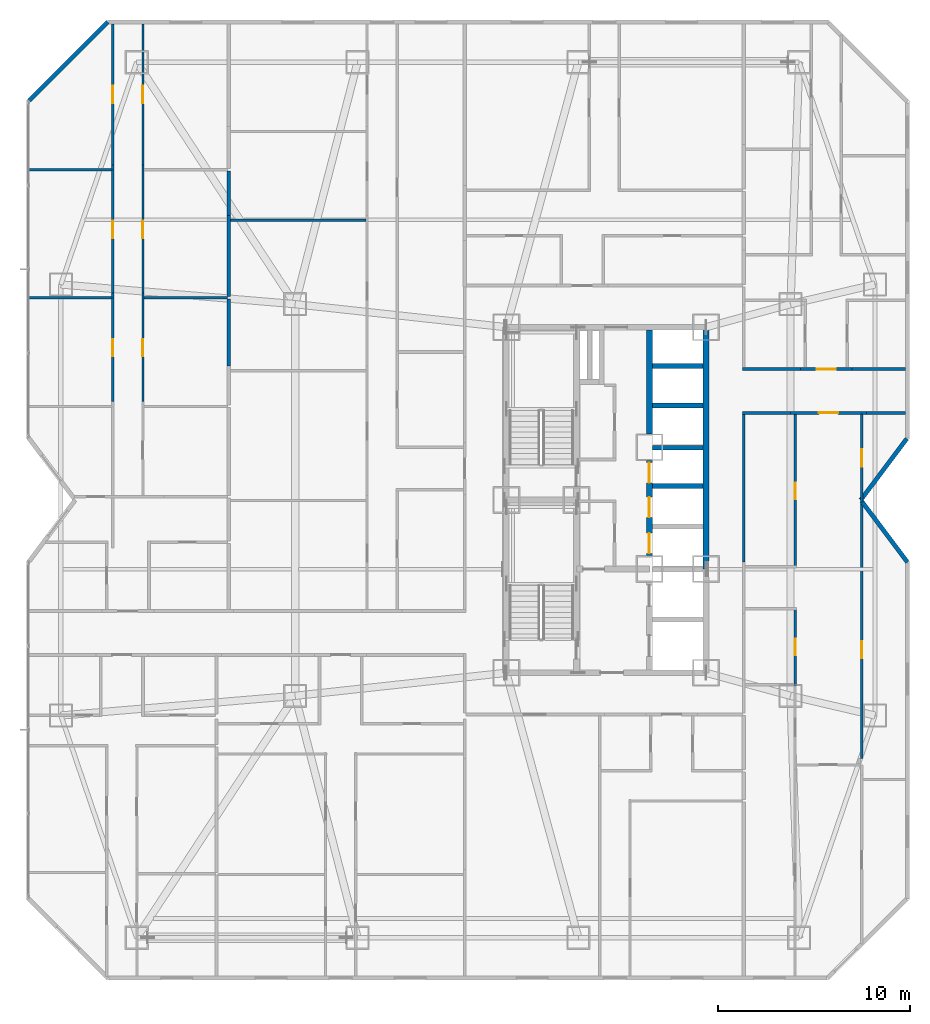
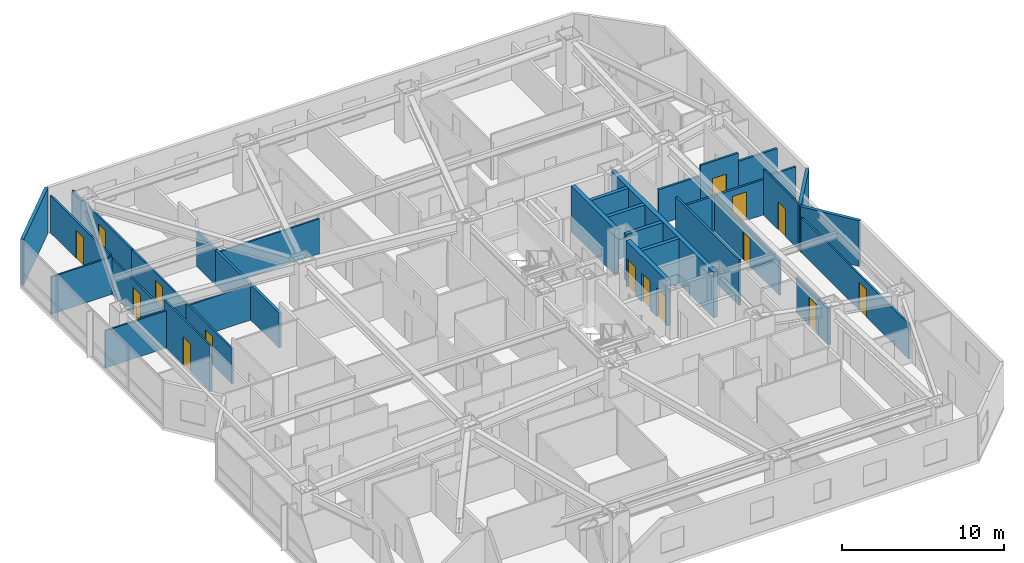
# One storey, part 21 of 25: 34 walls, 15 doors, 15 openings.
"""IFC4 building model written with IfcOpenShell, lengths in metres."""

from ifc_helpers import new_model, si_unit, direction, frame, frame_2d, origin, place, context, subcontext, project, spatial, rectangle, extrude, material, layer, layer_set, type_object, element, fill, save


model = new_model("IFC4")

# Units and contexts
model_context = context("Model", 3, precision=1e-05, world=origin(), true_north=direction((0.0, 1.0)))
body_context = subcontext(model_context, "Body", "Model", "MODEL_VIEW")
ifc_project = project(units=[si_unit("LENGTHUNIT", "METRE"), si_unit("AREAUNIT", "SQUARE_METRE"), si_unit("VOLUMEUNIT", "CUBIC_METRE"), si_unit("PLANEANGLEUNIT", "RADIAN"), si_unit("MASSUNIT", "GRAM", prefix="KILO")], contexts=[model_context])

# Site, building, storey
site_placement = place(None, origin())
site = spatial("IfcSite", under=ifc_project, at=site_placement, CompositionType="ELEMENT")
building_placement = place(site_placement, origin())
building = spatial("IfcBuilding", under=site, at=building_placement, Name="Khamvora Tower", CompositionType="ELEMENT")
storey_placement = place(building_placement, frame((0.0, 0.0, 36.949951171875)))
storey = spatial("IfcBuildingStorey", under=building, at=storey_placement, Name="L08", CompositionType="ELEMENT", Elevation=36.949951171875)

# Wall
ifc_material_1 = material(Name="Concrete C50/60", Category="concrete")
ifc_layer_1 = layer(ifc_material_1, 0.300048828125)
ifc_layer_set_1 = layer_set([ifc_layer_1], Name="Concrete C50/60")
wall_type_1 = type_object("IfcWallType", Name="WAL-CORE-300", PredefinedType="SHEAR", material=ifc_layer_set_1)
wall_1_placement = place(storey_placement, frame((39.39990234375, 24.39990234375, 0.0), z_axis=(0.0, 0.0, 1.0), x_axis=(0.0, 1.0, 0.0)))
element("IfcWall", 1, at=wall_1_placement, inside=storey, type_object=wall_type_1, Name="L08 central core east north wall", PredefinedType="SHEAR", context=body_context, shape_type="SweptSolid", body=[
    extrude(rectangle(XDim=12.60009765625, YDim=0.300048828125, at=frame_2d((6.300048828125, 0.0))), origin(), (0.0, 0.0, 1.0), 3.429931640625),
])

# Wall, openings, doors
wall_2_placement = place(storey_placement, frame((36.449951171875, 25.10009765625, 0.0), z_axis=(0.0, 0.0, 1.0), x_axis=(0.0, 1.0, 0.0)))
wall_2 = element("IfcWall", 2, at=wall_2_placement, inside=storey, type_object=wall_type_1, Name="L08 central core lift bank central wall", PredefinedType="SHEAR", context=body_context, shape_type="SweptSolid", body=[
    extrude(rectangle(XDim=4.949951171875, YDim=0.300048828125, at=frame_2d((2.47509765625, 0.0))), origin(), (0.0, 0.0, 1.0), 3.429931640625),
])
opening_1_placement = place(wall_2_placement, frame((0.1201171875, 0.0, 0.0)))
opening_1 = element("IfcOpeningElement", 3, at=opening_1_placement, cuts=wall_2, Name="Opening LD-PL", PredefinedType="OPENING", context=body_context, shape_type="SweptSolid", body=[
    extrude(rectangle(XDim=1.050048828125, YDim=2.14990234375, at=frame_2d((0.52490234375, 1.074951171875))), frame((0.0, 0.159912109375, 0.0), z_axis=(0.0, -1.0, 0.0), x_axis=(1.0, 0.0, 0.0)), (0.0, 0.0, 1.0), 0.320068359375),
])
opening_2_placement = place(wall_2_placement, frame((1.9951171875, 0.0, 0.0)))
opening_2 = element("IfcOpeningElement", 4, at=opening_2_placement, cuts=wall_2, Name="Opening LD-PL", PredefinedType="OPENING", context=body_context, shape_type="SweptSolid", body=[
    extrude(rectangle(XDim=1.050048828125, YDim=2.14990234375, at=frame_2d((0.52490234375, 1.074951171875))), frame((0.0, 0.159912109375, 0.0), z_axis=(0.0, -1.0, 0.0), x_axis=(1.0, 0.0, 0.0)), (0.0, 0.0, 1.0), 0.320068359375),
])
opening_3_placement = place(wall_2_placement, frame((3.794921875, 0.0, 0.0)))
opening_3 = element("IfcOpeningElement", 5, at=opening_3_placement, cuts=wall_2, Name="Opening LD-PL", PredefinedType="OPENING", context=body_context, shape_type="SweptSolid", body=[
    extrude(rectangle(XDim=1.050048828125, YDim=2.14990234375, at=frame_2d((0.52490234375, 1.074951171875))), frame((0.0, 0.159912109375, 0.0), z_axis=(0.0, -1.0, 0.0), x_axis=(1.0, 0.0, 0.0)), (0.0, 0.0, 1.0), 0.320068359375),
])
ifc_material_2 = material(Name="Powder-Coated Steel and Hardwood Leaf", Category="steel")
door_type_1 = type_object("IfcDoorType", Name="DOR-LIFT-1050", OperationType="SLIDING_TO_LEFT", PredefinedType="DOOR", material=ifc_material_2)
door_1_placement = place(opening_1_placement, origin())
door_1 = element("IfcDoor", 6, at=door_1_placement, inside=storey, type_object=door_type_1, Name="L08 lift landing sliding door PL-01", OperationType="SLIDING_TO_LEFT", OverallHeight=2.14990234375, OverallWidth=1.050048828125, PredefinedType="DOOR", context=body_context, shape_type="SweptSolid", body=[
    extrude(rectangle(XDim=1.050048828125, YDim=2.14990234375, at=frame_2d((0.52490234375, 1.074951171875))), frame((0.0, 0.02490234375, 0.0), z_axis=(0.0, -1.0, 0.0), x_axis=(1.0, 0.0, 0.0)), (0.0, 0.0, 1.0), 0.050048828125),
])
fill(opening_1, door_1)
door_2_placement = place(opening_2_placement, origin())
door_2 = element("IfcDoor", 7, at=door_2_placement, inside=storey, type_object=door_type_1, Name="L08 lift landing sliding door PL-02", OperationType="SLIDING_TO_LEFT", OverallHeight=2.14990234375, OverallWidth=1.050048828125, PredefinedType="DOOR", context=body_context, shape_type="SweptSolid", body=[
    extrude(rectangle(XDim=1.050048828125, YDim=2.14990234375, at=frame_2d((0.52490234375, 1.074951171875))), frame((0.0, 0.02490234375, 0.0), z_axis=(0.0, -1.0, 0.0), x_axis=(1.0, 0.0, 0.0)), (0.0, 0.0, 1.0), 0.050048828125),
])
fill(opening_2, door_2)
door_3_placement = place(opening_3_placement, origin())
door_3 = element("IfcDoor", 8, at=door_3_placement, inside=storey, type_object=door_type_1, Name="L08 lift landing sliding door PL-03", OperationType="SLIDING_TO_LEFT", OverallHeight=2.14990234375, OverallWidth=1.050048828125, PredefinedType="DOOR", context=body_context, shape_type="SweptSolid", body=[
    extrude(rectangle(XDim=1.050048828125, YDim=2.14990234375, at=frame_2d((0.52490234375, 1.074951171875))), frame((0.0, 0.02490234375, 0.0), z_axis=(0.0, -1.0, 0.0), x_axis=(1.0, 0.0, 0.0)), (0.0, 0.0, 1.0), 0.050048828125),
])
fill(opening_3, door_3)

# Wall
wall_3_placement = place(storey_placement, frame((36.449951171875, 31.449951171875, 0.0), z_axis=(0.0, 0.0, 1.0), x_axis=(0.0, 1.0, 0.0)))
element("IfcWall", 9, at=wall_3_placement, inside=storey, type_object=wall_type_1, Name="L08 central core lift bank north wall", PredefinedType="SHEAR", context=body_context, shape_type="SweptSolid", body=[
    extrude(rectangle(XDim=5.39599609375, YDim=0.300048828125, at=frame_2d((2.697998046875, 0.0))), origin(), (0.0, 0.0, 1.0), 3.429931640625),
])

# Wall, opening, door
ifc_material_3 = material(Name="Fire-Rated Drywall and Steel Stud", Category="steel")
ifc_layer_2 = layer(ifc_material_3, 0.14990234375)
ifc_layer_set_2 = layer_set([ifc_layer_2], Name="Fire-Rated Drywall and Steel Stud")
wall_type_2 = type_object("IfcWallType", Name="WAL-CORR-150", PredefinedType="STANDARD", material=ifc_layer_set_2)
wall_4_placement = place(storey_placement, frame((47.76708984375, 32.534912109375, 0.0), z_axis=(0.0, 0.0, 1.0), x_axis=(-1.0, 0.0, 0.0)))
wall_4 = element("IfcWall", 10, at=wall_4_placement, inside=storey, type_object=wall_type_2, Name="L08 interior partition wall 031", PredefinedType="STANDARD", context=body_context, shape_type="SweptSolid", body=[
    extrude(rectangle(XDim=3.97802734375, YDim=0.14990234375, at=frame_2d((1.989013671875, 0.0))), origin(), (0.0, 0.0, 1.0), 2.64697265625),
])
opening_4_placement = place(wall_4_placement, frame((1.489013671875, 0.0, 0.0)))
opening_4 = element("IfcOpeningElement", 11, at=opening_4_placement, cuts=wall_4, Name="Opening D-U1", PredefinedType="OPENING", context=body_context, shape_type="SweptSolid", body=[
    extrude(rectangle(XDim=1.0, YDim=2.14990234375, at=frame_2d((0.5, 1.074951171875))), frame((0.0, 0.0849609375, 0.0), z_axis=(0.0, -1.0, 0.0), x_axis=(1.0, 0.0, 0.0)), (0.0, 0.0, 1.0), 0.169921875),
])
door_type_2 = type_object("IfcDoorType", Name="DOR-UNIT-1000", OperationType="NOTDEFINED", PredefinedType="DOOR", material=ifc_material_2)
door_4_placement = place(opening_4_placement, origin())
door_4 = element("IfcDoor", 12, at=door_4_placement, inside=storey, type_object=door_type_2, Name="L08 interior door COR-08EAH", OperationType="SINGLE_SWING_LEFT", OverallHeight=2.14990234375, OverallWidth=1.0, PredefinedType="DOOR", context=body_context, shape_type="SweptSolid", body=[
    extrude(rectangle(XDim=1.0, YDim=2.14990234375, at=frame_2d((0.5, 1.074951171875))), frame((0.0, 0.02490234375, 0.0), z_axis=(0.0, -1.0, 0.0), x_axis=(1.0, 0.0, 0.0)), (0.0, 0.0, 1.0), 0.050048828125),
])
fill(opening_4, door_4)

# Walls
wall_5_placement = place(storey_placement, frame((43.7890625, 32.534912109375, 0.0), z_axis=(0.0, 0.0, 1.0), x_axis=(-1.0, 0.0, 0.0)))
element("IfcWall", 13, at=wall_5_placement, inside=storey, type_object=wall_type_2, Name="L08 interior partition wall 034", PredefinedType="STANDARD", context=body_context, shape_type="SweptSolid", body=[
    extrude(rectangle(XDim=2.489013671875, YDim=0.14990234375, at=frame_2d((1.24462890625, 0.0))), origin(), (0.0, 0.0, 1.0), 2.64697265625),
])
wall_6_placement = place(storey_placement, frame((41.364990234375, 32.60009765625, 0.0), z_axis=(0.0, 0.0, 1.0), x_axis=(0.0, -1.0, 0.0)))
element("IfcWall", 14, at=wall_6_placement, inside=storey, type_object=wall_type_2, Name="L08 interior partition wall 035", PredefinedType="STANDARD", context=body_context, shape_type="SweptSolid", body=[
    extrude(rectangle(XDim=7.817138671875, YDim=0.14990234375, at=frame_2d((3.90869140625, 0.0))), origin(), (0.0, 0.0, 1.0), 3.429931640625),
])
wall_7_placement = place(storey_placement, frame((49.7880859375, 32.534912109375, 0.0), z_axis=(0.0, 0.0, 1.0), x_axis=(-1.0, 0.0, 0.0)))
element("IfcWall", 15, at=wall_7_placement, inside=storey, type_object=wall_type_2, Name="L08 interior partition wall 036", PredefinedType="STANDARD", context=body_context, shape_type="SweptSolid", body=[
    extrude(rectangle(XDim=2.02099609375, YDim=0.14990234375, at=frame_2d((1.010498046875, 0.0))), origin(), (0.0, 0.0, 1.0), 2.802978515625),
])

# Wall, opening, door
wall_8_placement = place(storey_placement, frame((44.31103515625, 34.81494140625, 0.0), z_axis=(0.0, 0.0, 1.0), x_axis=(1.0, 0.0, 0.0)))
wall_8 = element("IfcWall", 16, at=wall_8_placement, inside=storey, type_object=wall_type_2, Name="L08 interior partition wall 038", PredefinedType="STANDARD", context=body_context, shape_type="SweptSolid", body=[
    extrude(rectangle(XDim=2.697998046875, YDim=0.14990234375, at=frame_2d((1.34912109375, 0.0))), origin(), (0.0, 0.0, 1.0), 3.429931640625),
])
opening_5_placement = place(wall_8_placement, frame((0.84912109375, 0.0, 0.0)))
opening_5 = element("IfcOpeningElement", 17, at=opening_5_placement, cuts=wall_8, Name="Opening D-U1", PredefinedType="OPENING", context=body_context, shape_type="SweptSolid", body=[
    extrude(rectangle(XDim=1.0, YDim=2.14990234375, at=frame_2d((0.5, 1.074951171875))), frame((0.0, 0.0849609375, 0.0), z_axis=(0.0, -1.0, 0.0), x_axis=(1.0, 0.0, 0.0)), (0.0, 0.0, 1.0), 0.169921875),
])
door_5_placement = place(opening_5_placement, origin())
door_5 = element("IfcDoor", 18, at=door_5_placement, inside=storey, type_object=door_type_2, Name="L08 interior door COR-08ECH", OperationType="SINGLE_SWING_RIGHT", OverallHeight=2.14990234375, OverallWidth=1.0, PredefinedType="DOOR", context=body_context, shape_type="SweptSolid", body=[
    extrude(rectangle(XDim=1.0, YDim=2.14990234375, at=frame_2d((0.5, 1.074951171875))), frame((0.0, 0.02490234375, 0.0), z_axis=(0.0, -1.0, 0.0), x_axis=(1.0, 0.0, 0.0)), (0.0, 0.0, 1.0), 0.050048828125),
])
fill(opening_5, door_5)

# Walls
wall_9_placement = place(storey_placement, frame((41.300048828125, 34.81494140625, 0.0), z_axis=(0.0, 0.0, 1.0), x_axis=(1.0, 0.0, 0.0)))
element("IfcWall", 19, at=wall_9_placement, inside=storey, type_object=wall_type_2, Name="L08 interior partition wall 040", PredefinedType="STANDARD", context=body_context, shape_type="SweptSolid", body=[
    extrude(rectangle(XDim=3.010986328125, YDim=0.14990234375, at=frame_2d((1.50537109375, 0.0))), origin(), (0.0, 0.0, 1.0), 2.64697265625),
])
wall_10_placement = place(storey_placement, frame((47.009033203125, 34.81494140625, 0.0), z_axis=(0.0, 0.0, 1.0), x_axis=(1.0, 0.0, 0.0)))
element("IfcWall", 20, at=wall_10_placement, inside=storey, type_object=wall_type_2, Name="L08 interior partition wall 041", PredefinedType="STANDARD", context=body_context, shape_type="SweptSolid", body=[
    extrude(rectangle(XDim=2.779052734375, YDim=0.14990234375, at=frame_2d((1.3896484375, 0.0))), origin(), (0.0, 0.0, 1.0), 2.802978515625),
])
ifc_material_4 = material(Name="Acoustic Double-Stud Fire Wall", Category="gypsum")
ifc_layer_3 = layer(ifc_material_4, 0.179931640625)
ifc_layer_set_3 = layer_set([ifc_layer_3], Name="Acoustic Double-Stud Fire Wall")
wall_type_3 = type_object("IfcWallType", Name="WAL-CORR-180", PredefinedType="STANDARD", material=ifc_layer_set_3)
wall_11_placement = place(storey_placement, frame((14.533935546875, 38.4609375, 0.0), z_axis=(0.0, 0.0, 1.0), x_axis=(0.0, -1.0, 0.0)))
element("IfcWall", 21, at=wall_11_placement, inside=storey, type_object=wall_type_3, Name="L08 interior partition wall 099", PredefinedType="STANDARD", context=body_context, shape_type="SweptSolid", body=[
    extrude(rectangle(XDim=3.474853515625, YDim=0.179931640625, at=frame_2d((1.7373046875, 0.0))), origin(), (0.0, 0.0, 1.0), 2.64697265625),
])
wall_12_placement = place(storey_placement, frame((14.533935546875, 42.81201171875, 0.0), z_axis=(0.0, 0.0, 1.0), x_axis=(0.0, -1.0, 0.0)))
element("IfcWall", 22, at=wall_12_placement, inside=storey, type_object=wall_type_3, Name="L08 interior partition wall 101", PredefinedType="STANDARD", context=body_context, shape_type="SweptSolid", body=[
    extrude(rectangle(XDim=4.220947265625, YDim=0.179931640625, at=frame_2d((2.1103515625, 0.0))), origin(), (0.0, 0.0, 1.0), 2.64697265625),
])
wall_13_placement = place(storey_placement, frame((14.533935546875, 45.133056640625, 0.0), z_axis=(0.0, 0.0, 1.0), x_axis=(0.0, -1.0, 0.0)))
element("IfcWall", 23, at=wall_13_placement, inside=storey, type_object=wall_type_3, Name="L08 interior partition wall 102", PredefinedType="STANDARD", context=body_context, shape_type="SweptSolid", body=[
    extrude(rectangle(XDim=2.321044921875, YDim=0.179931640625, at=frame_2d((1.16064453125, 0.0))), origin(), (0.0, 0.0, 1.0), 2.64697265625),
])
ifc_material_5 = material(Name="Precast concrete C40/50", Category="concrete")
ifc_layer_4 = layer(ifc_material_5, 0.219970703125)
ifc_layer_set_4 = layer_set([ifc_layer_4], Name="Precast concrete C40/50")
wall_type_4 = type_object("IfcWallType", Name="WAL-EXT-220", PredefinedType="STANDARD", material=ifc_layer_set_4)
wall_14_placement = place(storey_placement, frame((4.157958984375, 48.802001953125, 0.0), z_axis=(0.0, 0.0, 1.0), x_axis=(0.70712789547, 0.707085666273, 0.0)))
element("IfcWall", 24, at=wall_14_placement, inside=storey, type_object=wall_type_4, Name="L08 exterior facade wall 06.1", PredefinedType="STANDARD", context=body_context, shape_type="SweptSolid", body=[
    extrude(rectangle(XDim=5.78125, YDim=0.219970703125, at=frame_2d((2.890625, 0.0))), origin(), (0.0, 0.0, 1.0), 3.429931640625),
])
wall_15_placement = place(storey_placement, frame((49.85595703125, 31.19091796875, 0.0), z_axis=(0.0, 0.0, 1.0), x_axis=(-0.600137081448, -0.799897170561, 0.0)))
element("IfcWall", 25, at=wall_15_placement, inside=storey, type_object=wall_type_4, Name="L08 exterior facade wall 10.1", PredefinedType="STANDARD", context=body_context, shape_type="SweptSolid", body=[
    extrude(rectangle(XDim=3.9892578125, YDim=0.219970703125, at=frame_2d((1.99462890625, 0.0))), origin(), (0.0, 0.0, 1.0), 3.429931640625),
])
wall_16_placement = place(storey_placement, frame((47.51904296875, 27.923095703125, 0.0), z_axis=(0.0, 0.0, 1.0), x_axis=(0.600118645218, -0.799911002338, 0.0)))
element("IfcWall", 26, at=wall_16_placement, inside=storey, type_object=wall_type_4, Name="L08 exterior facade wall 11.1", PredefinedType="STANDARD", context=body_context, shape_type="SweptSolid", body=[
    extrude(rectangle(XDim=3.95068359375, YDim=0.219970703125, at=frame_2d((1.975341796875, 0.0))), origin(), (0.0, 0.0, 1.0), 3.429931640625),
])

# Wall, opening, door
ifc_material_6 = material(Name="Gypsum Plasterboard Partition", Category="gypsum")
ifc_layer_5 = layer(ifc_material_6, 0.1201171875)
ifc_layer_set_5 = layer_set([ifc_layer_5], Name="Gypsum Plasterboard Partition")
wall_type_5 = type_object("IfcWallType", Name="WAL-PART-120", PredefinedType="PARTITIONING", material=ifc_layer_set_5)
wall_17_placement = place(storey_placement, frame((8.50390625, 33.123046875, 0.0), z_axis=(0.0, 0.0, 1.0), x_axis=(0.0, 1.0, 0.0)))
wall_17 = element("IfcWall", 27, at=wall_17_placement, inside=storey, type_object=wall_type_5, Name="L08 interior partition wall 082", PredefinedType="PARTITIONING", context=body_context, shape_type="SweptSolid", body=[
    extrude(rectangle(XDim=5.65185546875, YDim=0.1201171875, at=frame_2d((2.825927734375, 0.0))), origin(), (0.0, 0.0, 1.0), 3.429931640625),
])
opening_6_placement = place(wall_17_placement, frame((2.35498046875, 0.0, 0.0)))
opening_6 = element("IfcOpeningElement", 28, at=opening_6_placement, cuts=wall_17, Name="Opening D-RM1", PredefinedType="OPENING", context=body_context, shape_type="SweptSolid", body=[
    extrude(rectangle(XDim=0.89990234375, YDim=2.10009765625, at=frame_2d((0.449951171875, 1.050048828125))), frame((0.0, 0.070068359375, 0.0), z_axis=(0.0, -1.0, 0.0), x_axis=(1.0, 0.0, 0.0)), (0.0, 0.0, 1.0), 0.14013671875),
])
door_type_3 = type_object("IfcDoorType", Name="DOR-ROOM-900", OperationType="NOTDEFINED", PredefinedType="DOOR", material=ifc_material_2)
door_6_placement = place(opening_6_placement, origin())
door_6 = element("IfcDoor", 29, at=door_6_placement, inside=storey, type_object=door_type_3, Name="L08 interior door 08WC1H-08WC1R2", OperationType="SINGLE_SWING_RIGHT", OverallHeight=2.10009765625, OverallWidth=0.89990234375, PredefinedType="DOOR", context=body_context, shape_type="SweptSolid", body=[
    extrude(rectangle(XDim=0.89990234375, YDim=2.10009765625, at=frame_2d((0.449951171875, 1.050048828125))), frame((0.0, 0.02490234375, 0.0), z_axis=(0.0, -1.0, 0.0), x_axis=(1.0, 0.0, 0.0)), (0.0, 0.0, 1.0), 0.050048828125),
])
fill(opening_6, door_6)

wall_18_placement = place(storey_placement, frame((8.50390625, 38.77490234375, 0.0), z_axis=(0.0, 0.0, 1.0), x_axis=(0.0, 1.0, 0.0)))
wall_18 = element("IfcWall", 30, at=wall_18_placement, inside=storey, type_object=wall_type_5, Name="L08 interior partition wall 083", PredefinedType="PARTITIONING", context=body_context, shape_type="SweptSolid", body=[
    extrude(rectangle(XDim=6.673095703125, YDim=0.1201171875, at=frame_2d((3.33642578125, 0.0))), origin(), (0.0, 0.0, 1.0), 2.64697265625),
])
opening_7_placement = place(wall_18_placement, frame((2.864990234375, 0.0, 0.0)))
opening_7 = element("IfcOpeningElement", 31, at=opening_7_placement, cuts=wall_18, Name="Opening D-RM1", PredefinedType="OPENING", context=body_context, shape_type="SweptSolid", body=[
    extrude(rectangle(XDim=0.89990234375, YDim=2.10009765625, at=frame_2d((0.449951171875, 1.050048828125))), frame((0.0, 0.070068359375, 0.0), z_axis=(0.0, -1.0, 0.0), x_axis=(1.0, 0.0, 0.0)), (0.0, 0.0, 1.0), 0.14013671875),
])
door_7_placement = place(opening_7_placement, origin())
door_7 = element("IfcDoor", 32, at=door_7_placement, inside=storey, type_object=door_type_3, Name="L08 interior door 08WC1H-08WC1R3", OperationType="SINGLE_SWING_LEFT", OverallHeight=2.10009765625, OverallWidth=0.89990234375, PredefinedType="DOOR", context=body_context, shape_type="SweptSolid", body=[
    extrude(rectangle(XDim=0.89990234375, YDim=2.10009765625, at=frame_2d((0.449951171875, 1.050048828125))), frame((0.0, 0.02490234375, 0.0), z_axis=(0.0, -1.0, 0.0), x_axis=(1.0, 0.0, 0.0)), (0.0, 0.0, 1.0), 0.050048828125),
])
fill(opening_7, door_7)

wall_19_placement = place(storey_placement, frame((8.50390625, 45.447998046875, 0.0), z_axis=(0.0, 0.0, 1.0), x_axis=(0.0, 1.0, 0.0)))
wall_19 = element("IfcWall", 33, at=wall_19_placement, inside=storey, type_object=wall_type_5, Name="L08 interior partition wall 084", PredefinedType="PARTITIONING", context=body_context, shape_type="SweptSolid", body=[
    extrude(rectangle(XDim=7.340087890625, YDim=0.1201171875, at=frame_2d((3.669921875, 0.0))), origin(), (0.0, 0.0, 1.0), 2.802978515625),
])
opening_8_placement = place(wall_19_placement, frame((3.219970703125, 0.0, 0.0)))
opening_8 = element("IfcOpeningElement", 34, at=opening_8_placement, cuts=wall_19, Name="Opening D-RM1", PredefinedType="OPENING", context=body_context, shape_type="SweptSolid", body=[
    extrude(rectangle(XDim=0.89990234375, YDim=2.10009765625, at=frame_2d((0.449951171875, 1.050048828125))), frame((0.0, 0.070068359375, 0.0), z_axis=(0.0, -1.0, 0.0), x_axis=(1.0, 0.0, 0.0)), (0.0, 0.0, 1.0), 0.14013671875),
])
door_8_placement = place(opening_8_placement, origin())
door_8 = element("IfcDoor", 35, at=door_8_placement, inside=storey, type_object=door_type_3, Name="L08 interior door 08WC1H-08WC1R4", OperationType="SINGLE_SWING_LEFT", OverallHeight=2.10009765625, OverallWidth=0.89990234375, PredefinedType="DOOR", context=body_context, shape_type="SweptSolid", body=[
    extrude(rectangle(XDim=0.89990234375, YDim=2.10009765625, at=frame_2d((0.449951171875, 1.050048828125))), frame((0.0, 0.02490234375, 0.0), z_axis=(0.0, -1.0, 0.0), x_axis=(1.0, 0.0, 0.0)), (0.0, 0.0, 1.0), 0.050048828125),
])
fill(opening_8, door_8)

wall_20_placement = place(storey_placement, frame((10.073974609375, 38.77490234375, 0.0), z_axis=(0.0, 0.0, 1.0), x_axis=(0.0, -1.0, 0.0)))
wall_20 = element("IfcWall", 36, at=wall_20_placement, inside=storey, type_object=wall_type_5, Name="L08 interior partition wall 087", PredefinedType="PARTITIONING", context=body_context, shape_type="SweptSolid", body=[
    extrude(rectangle(XDim=5.65185546875, YDim=0.1201171875, at=frame_2d((2.825927734375, 0.0))), origin(), (0.0, 0.0, 1.0), 2.64697265625),
])
opening_9_placement = place(wall_20_placement, frame((2.39697265625, 0.0, 0.0)))
opening_9 = element("IfcOpeningElement", 37, at=opening_9_placement, cuts=wall_20, Name="Opening D-RM1", PredefinedType="OPENING", context=body_context, shape_type="SweptSolid", body=[
    extrude(rectangle(XDim=0.89990234375, YDim=2.10009765625, at=frame_2d((0.449951171875, 1.050048828125))), frame((0.0, 0.070068359375, 0.0), z_axis=(0.0, -1.0, 0.0), x_axis=(1.0, 0.0, 0.0)), (0.0, 0.0, 1.0), 0.14013671875),
])
door_9_placement = place(opening_9_placement, origin())
door_9 = element("IfcDoor", 38, at=door_9_placement, inside=storey, type_object=door_type_3, Name="L08 interior door 08WC1H-08WC1R6", OperationType="SINGLE_SWING_RIGHT", OverallHeight=2.10009765625, OverallWidth=0.89990234375, PredefinedType="DOOR", context=body_context, shape_type="SweptSolid", body=[
    extrude(rectangle(XDim=0.89990234375, YDim=2.10009765625, at=frame_2d((0.449951171875, 1.050048828125))), frame((0.0, 0.02490234375, 0.0), z_axis=(0.0, -1.0, 0.0), x_axis=(1.0, 0.0, 0.0)), (0.0, 0.0, 1.0), 0.050048828125),
])
fill(opening_9, door_9)

wall_21_placement = place(storey_placement, frame((10.073974609375, 45.447998046875, 0.0), z_axis=(0.0, 0.0, 1.0), x_axis=(0.0, -1.0, 0.0)))
wall_21 = element("IfcWall", 39, at=wall_21_placement, inside=storey, type_object=wall_type_5, Name="L08 interior partition wall 088", PredefinedType="PARTITIONING", context=body_context, shape_type="SweptSolid", body=[
    extrude(rectangle(XDim=6.673095703125, YDim=0.1201171875, at=frame_2d((3.33642578125, 0.0))), origin(), (0.0, 0.0, 1.0), 2.64697265625),
])
opening_10_placement = place(wall_21_placement, frame((2.907958984375, 0.0, 0.0)))
opening_10 = element("IfcOpeningElement", 40, at=opening_10_placement, cuts=wall_21, Name="Opening D-RM1", PredefinedType="OPENING", context=body_context, shape_type="SweptSolid", body=[
    extrude(rectangle(XDim=0.89990234375, YDim=2.10009765625, at=frame_2d((0.449951171875, 1.050048828125))), frame((0.0, 0.070068359375, 0.0), z_axis=(0.0, -1.0, 0.0), x_axis=(1.0, 0.0, 0.0)), (0.0, 0.0, 1.0), 0.14013671875),
])
door_10_placement = place(opening_10_placement, origin())
door_10 = element("IfcDoor", 41, at=door_10_placement, inside=storey, type_object=door_type_3, Name="L08 interior door 08WC1H-08WC1R7", OperationType="SINGLE_SWING_LEFT", OverallHeight=2.10009765625, OverallWidth=0.89990234375, PredefinedType="DOOR", context=body_context, shape_type="SweptSolid", body=[
    extrude(rectangle(XDim=0.89990234375, YDim=2.10009765625, at=frame_2d((0.449951171875, 1.050048828125))), frame((0.0, 0.02490234375, 0.0), z_axis=(0.0, -1.0, 0.0), x_axis=(1.0, 0.0, 0.0)), (0.0, 0.0, 1.0), 0.050048828125),
])
fill(opening_10, door_10)

wall_22_placement = place(storey_placement, frame((10.073974609375, 52.7880859375, 0.0), z_axis=(0.0, 0.0, 1.0), x_axis=(0.0, -1.0, 0.0)))
wall_22 = element("IfcWall", 42, at=wall_22_placement, inside=storey, type_object=wall_type_5, Name="L08 interior partition wall 089", PredefinedType="PARTITIONING", context=body_context, shape_type="SweptSolid", body=[
    extrude(rectangle(XDim=7.340087890625, YDim=0.1201171875, at=frame_2d((3.669921875, 0.0))), origin(), (0.0, 0.0, 1.0), 2.64697265625),
])
opening_11_placement = place(wall_22_placement, frame((3.219970703125, 0.0, 0.0)))
opening_11 = element("IfcOpeningElement", 43, at=opening_11_placement, cuts=wall_22, Name="Opening D-RM1", PredefinedType="OPENING", context=body_context, shape_type="SweptSolid", body=[
    extrude(rectangle(XDim=0.89990234375, YDim=2.10009765625, at=frame_2d((0.449951171875, 1.050048828125))), frame((0.0, 0.070068359375, 0.0), z_axis=(0.0, -1.0, 0.0), x_axis=(1.0, 0.0, 0.0)), (0.0, 0.0, 1.0), 0.14013671875),
])
door_11_placement = place(opening_11_placement, origin())
door_11 = element("IfcDoor", 44, at=door_11_placement, inside=storey, type_object=door_type_3, Name="L08 interior door 08WC1H-08WC1R8", OperationType="SINGLE_SWING_RIGHT", OverallHeight=2.10009765625, OverallWidth=0.89990234375, PredefinedType="DOOR", context=body_context, shape_type="SweptSolid", body=[
    extrude(rectangle(XDim=0.89990234375, YDim=2.10009765625, at=frame_2d((0.449951171875, 1.050048828125))), frame((0.0, 0.02490234375, 0.0), z_axis=(0.0, -1.0, 0.0), x_axis=(1.0, 0.0, 0.0)), (0.0, 0.0, 1.0), 0.050048828125),
])
fill(opening_11, door_11)

# Walls
for number, where, z_axis, x_axis, name in (
    (45, (4.110107421875, 38.52587890625, 0.0), (0.0, 0.0, 1.0), (1.0, 0.0, 0.0), "L08 interior partition wall 093"),
    (46, (4.110107421875, 45.197998046875, 0.0), (0.0, 0.0, 1.0), (1.0, 0.0, 0.0), "L08 interior partition wall 094"),
):
    element("IfcWall", number, at=place(storey_placement, frame(where, z_axis=z_axis, x_axis=x_axis)), inside=storey, type_object=wall_type_5, Name=name, PredefinedType="PARTITIONING", context=body_context, shape_type="SweptSolid", body=[
        extrude(rectangle(XDim=4.33984375, YDim=0.1201171875, at=frame_2d((2.169921875, 0.0))), origin(), (0.0, 0.0, 1.0), 2.802978515625),
    ])
wall_23_placement = place(storey_placement, frame((10.1279296875, 38.52587890625, 0.0), z_axis=(0.0, 0.0, 1.0), x_axis=(1.0, 0.0, 0.0)))
element("IfcWall", 47, at=wall_23_placement, inside=storey, type_object=wall_type_5, Name="L08 interior partition wall 097", PredefinedType="PARTITIONING", context=body_context, shape_type="SweptSolid", body=[
    extrude(rectangle(XDim=4.341064453125, YDim=0.1201171875, at=frame_2d((2.17041015625, 0.0))), origin(), (0.0, 0.0, 1.0), 2.64697265625),
])
wall_24_placement = place(storey_placement, frame((14.615966796875, 42.56298828125, 0.0), z_axis=(0.0, 0.0, 1.0), x_axis=(1.0, 0.0, 0.0)))
element("IfcWall", 48, at=wall_24_placement, inside=storey, type_object=wall_type_5, Name="L08 interior partition wall 121", PredefinedType="PARTITIONING", context=body_context, shape_type="SweptSolid", body=[
    extrude(rectangle(XDim=7.073974609375, YDim=0.1201171875, at=frame_2d((3.537109375, 0.0))), origin(), (0.0, 0.0, 1.0), 2.64697265625),
])

# Wall, opening, door
wall_25_placement = place(storey_placement, frame((47.51806640625, 27.885986328125, 0.0), z_axis=(0.0, 0.0, 1.0), x_axis=(0.0, -1.0, 0.0)))
wall_25 = element("IfcWall", 49, at=wall_25_placement, inside=storey, type_object=wall_type_5, Name="L08 interior partition wall 154", PredefinedType="PARTITIONING", context=body_context, shape_type="SweptSolid", body=[
    extrude(rectangle(XDim=13.343994140625, YDim=0.1201171875, at=frame_2d((6.671875, 0.0))), origin(), (0.0, 0.0, 1.0), 2.64697265625),
])
opening_12_placement = place(wall_25_placement, frame((7.23193359375, 0.0, 0.0)))
opening_12 = element("IfcOpeningElement", 50, at=opening_12_placement, cuts=wall_25, Name="Opening D-RM1", PredefinedType="OPENING", context=body_context, shape_type="SweptSolid", body=[
    extrude(rectangle(XDim=0.89990234375, YDim=2.10009765625, at=frame_2d((0.449951171875, 1.050048828125))), frame((0.0, 0.070068359375, 0.0), z_axis=(0.0, -1.0, 0.0), x_axis=(1.0, 0.0, 0.0)), (0.0, 0.0, 1.0), 0.14013671875),
])
door_12_placement = place(opening_12_placement, origin())
door_12 = element("IfcDoor", 51, at=door_12_placement, inside=storey, type_object=door_type_3, Name="L08 interior door 08EAH-08EAR2", OperationType="SINGLE_SWING_RIGHT", OverallHeight=2.10009765625, OverallWidth=0.89990234375, PredefinedType="DOOR", context=body_context, shape_type="SweptSolid", body=[
    extrude(rectangle(XDim=0.89990234375, YDim=2.10009765625, at=frame_2d((0.449951171875, 1.050048828125))), frame((0.0, 0.02490234375, 0.0), z_axis=(0.0, -1.0, 0.0), x_axis=(1.0, 0.0, 0.0)), (0.0, 0.0, 1.0), 0.050048828125),
])
fill(opening_12, door_12)

wall_26_placement = place(storey_placement, frame((47.51806640625, 32.468017578125, 0.0), z_axis=(0.0, 0.0, 1.0), x_axis=(0.0, -1.0, 0.0)))
wall_26 = element("IfcWall", 52, at=wall_26_placement, inside=storey, type_object=wall_type_5, Name="L08 interior partition wall 155", PredefinedType="PARTITIONING", context=body_context, shape_type="SweptSolid", body=[
    extrude(rectangle(XDim=4.56494140625, YDim=0.1201171875, at=frame_2d((2.282470703125, 0.0))), origin(), (0.0, 0.0, 1.0), 3.429931640625),
])
opening_13_placement = place(wall_26_placement, frame((1.8330078125, 0.0, 0.0)))
opening_13 = element("IfcOpeningElement", 53, at=opening_13_placement, cuts=wall_26, Name="Opening D-RM1", PredefinedType="OPENING", context=body_context, shape_type="SweptSolid", body=[
    extrude(rectangle(XDim=0.89990234375, YDim=2.10009765625, at=frame_2d((0.449951171875, 1.050048828125))), frame((0.0, 0.070068359375, 0.0), z_axis=(0.0, -1.0, 0.0), x_axis=(1.0, 0.0, 0.0)), (0.0, 0.0, 1.0), 0.14013671875),
])
door_13_placement = place(opening_13_placement, origin())
door_13 = element("IfcDoor", 54, at=door_13_placement, inside=storey, type_object=door_type_3, Name="L08 interior door 08EAH-08EAR3", OperationType="SINGLE_SWING_LEFT", OverallHeight=2.10009765625, OverallWidth=0.89990234375, PredefinedType="DOOR", context=body_context, shape_type="SweptSolid", body=[
    extrude(rectangle(XDim=0.89990234375, YDim=2.10009765625, at=frame_2d((0.449951171875, 1.050048828125))), frame((0.0, 0.02490234375, 0.0), z_axis=(0.0, -1.0, 0.0), x_axis=(1.0, 0.0, 0.0)), (0.0, 0.0, 1.0), 0.050048828125),
])
fill(opening_13, door_13)

# Walls
ifc_material_7 = material(Name="Concrete C40/50", Category="concrete")
ifc_layer_6 = layer(ifc_material_7, 0.25)
ifc_layer_set_6 = layer_set([ifc_layer_6], Name="Concrete C40/50")
wall_type_6 = type_object("IfcWallType", Name="WAL-PODS-250", PredefinedType="SHEAR", material=ifc_layer_set_6)
for number, where, z_axis, x_axis, name in (
    (55, (36.60400390625, 28.72509765625, 0.0), (0.0, 0.0, 1.0), (1.0, 0.0, 0.0), "L08 lift shaft divider wall PL-02"),
    (56, (36.60400390625, 30.72509765625, 0.0), (0.0, 0.0, 1.0), (1.0, 0.0, 0.0), "L08 lift shaft divider wall PL-03"),
    (57, (36.60400390625, 32.925048828125, 0.0), (0.0, 0.0, 1.0), (1.0, 0.0, 0.0), "L08 lift shaft divider wall PH-01"),
    (58, (36.60400390625, 34.97509765625, 0.0), (0.0, 0.0, 1.0), (1.0, 0.0, 0.0), "L08 lift shaft divider wall PH-02"),
):
    element("IfcWall", number, at=place(storey_placement, frame(where, z_axis=z_axis, x_axis=x_axis)), inside=storey, type_object=wall_type_6, Name=name, PredefinedType="SHEAR", context=body_context, shape_type="SweptSolid", body=[
        extrude(rectangle(XDim=2.64208984375, YDim=0.25, at=frame_2d((1.321044921875, 0.0))), origin(), (0.0, 0.0, 1.0), 3.429931640625),
    ])

# Wall, opening, door
ifc_material_8 = material(Name="Moisture-Resistant Plasterboard Partition", Category="gypsum")
ifc_layer_7 = layer(ifc_material_8, 0.135009765625)
ifc_layer_set_7 = layer_set([ifc_layer_7], Name="Moisture-Resistant Plasterboard Partition")
wall_type_7 = type_object("IfcWallType", Name="WAL-WET-135", PredefinedType="PARTITIONING", material=ifc_layer_set_7)
wall_27_placement = place(storey_placement, frame((44.0380859375, 18.303955078125, 0.0), z_axis=(0.0, 0.0, 1.0), x_axis=(0.0, 1.0, 0.0)))
wall_27 = element("IfcWall", 59, at=wall_27_placement, inside=storey, type_object=wall_type_7, Name="L08 interior partition wall 150", PredefinedType="PARTITIONING", context=body_context, shape_type="SweptSolid", body=[
    extrude(rectangle(XDim=4.094970703125, YDim=0.135009765625, at=frame_2d((2.04736328125, 0.0))), origin(), (0.0, 0.0, 1.0), 2.64697265625),
])
opening_14_placement = place(wall_27_placement, frame((1.6220703125, 0.0, 0.0)))
opening_14 = element("IfcOpeningElement", 60, at=opening_14_placement, cuts=wall_27, Name="Opening D-WC1", PredefinedType="OPENING", context=body_context, shape_type="SweptSolid", body=[
    extrude(rectangle(XDim=0.85009765625, YDim=2.10009765625, at=frame_2d((0.425048828125, 1.050048828125))), frame((0.0, 0.077392578125, 0.0), z_axis=(0.0, -1.0, 0.0), x_axis=(1.0, 0.0, 0.0)), (0.0, 0.0, 1.0), 0.155029296875),
])
door_type_4 = type_object("IfcDoorType", Name="DOR-WET-850", OperationType="NOTDEFINED", PredefinedType="DOOR", material=ifc_material_2)
door_14_placement = place(opening_14_placement, origin())
door_14 = element("IfcDoor", 61, at=door_14_placement, inside=storey, type_object=door_type_4, Name="L08 interior door 08EAH-08EAB", OperationType="SINGLE_SWING_RIGHT", OverallHeight=2.10009765625, OverallWidth=0.85009765625, PredefinedType="DOOR", context=body_context, shape_type="SweptSolid", body=[
    extrude(rectangle(XDim=0.85009765625, YDim=2.10009765625, at=frame_2d((0.425048828125, 1.050048828125))), frame((0.0, 0.02490234375, 0.0), z_axis=(0.0, -1.0, 0.0), x_axis=(1.0, 0.0, 0.0)), (0.0, 0.0, 1.0), 0.050048828125),
])
fill(opening_14, door_14)

wall_28_placement = place(storey_placement, frame((44.0380859375, 24.468994140625, 0.0), z_axis=(0.0, 0.0, 1.0), x_axis=(0.0, 1.0, 0.0)))
wall_28 = element("IfcWall", 62, at=wall_28_placement, inside=storey, type_object=wall_type_7, Name="L08 interior partition wall 153", PredefinedType="PARTITIONING", context=body_context, shape_type="SweptSolid", body=[
    extrude(rectangle(XDim=7.9990234375, YDim=0.135009765625, at=frame_2d((3.99951171875, 0.0))), origin(), (0.0, 0.0, 1.0), 2.64697265625),
])
opening_15_placement = place(wall_28_placement, frame((3.574951171875, 0.0, 0.0)))
opening_15 = element("IfcOpeningElement", 63, at=opening_15_placement, cuts=wall_28, Name="Opening D-RM2", PredefinedType="OPENING", context=body_context, shape_type="SweptSolid", body=[
    extrude(rectangle(XDim=0.85009765625, YDim=2.10009765625, at=frame_2d((0.425048828125, 1.050048828125))), frame((0.0, 0.077392578125, 0.0), z_axis=(0.0, -1.0, 0.0), x_axis=(1.0, 0.0, 0.0)), (0.0, 0.0, 1.0), 0.155029296875),
])
door_type_5 = type_object("IfcDoorType", Name="DOR-ROOM-850", OperationType="NOTDEFINED", PredefinedType="DOOR", material=ifc_material_2)
door_15_placement = place(opening_15_placement, origin())
door_15 = element("IfcDoor", 64, at=door_15_placement, inside=storey, type_object=door_type_5, Name="L08 interior door 08EAH-08EAK", OperationType="SINGLE_SWING_LEFT", OverallHeight=2.10009765625, OverallWidth=0.85009765625, PredefinedType="DOOR", context=body_context, shape_type="SweptSolid", body=[
    extrude(rectangle(XDim=0.85009765625, YDim=2.10009765625, at=frame_2d((0.425048828125, 1.050048828125))), frame((0.0, 0.02490234375, 0.0), z_axis=(0.0, -1.0, 0.0), x_axis=(1.0, 0.0, 0.0)), (0.0, 0.0, 1.0), 0.050048828125),
])
fill(opening_15, door_15)

save(model, "model.ifc")
